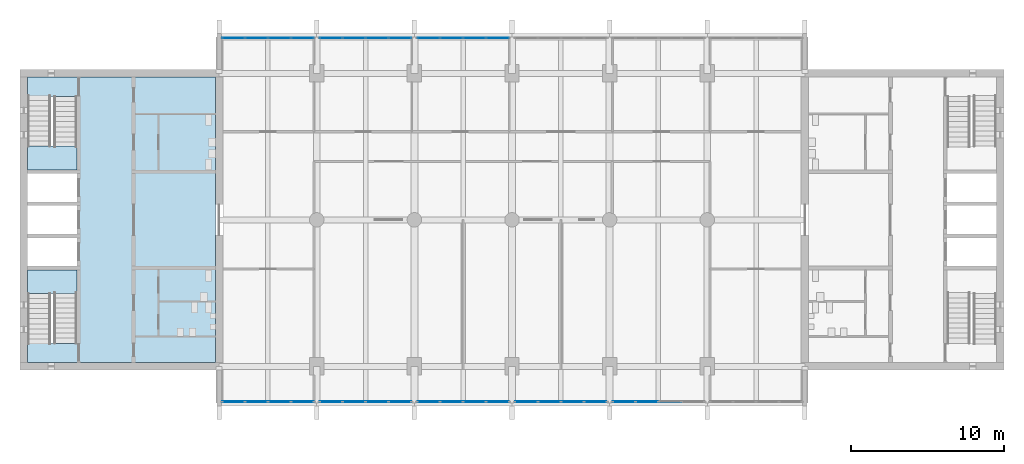
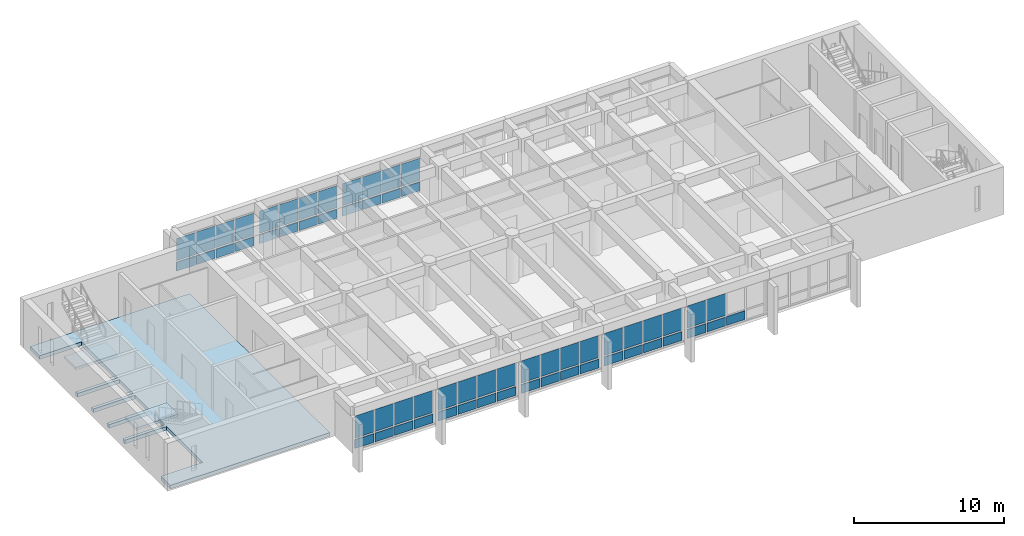
# One storey, part 7 of 15: 61 plates, 3 slabs, 10 elements without a shape of their own.
"""IFC4 building model written with IfcOpenShell, lengths in metres."""

from ifc_helpers import new_model, si_unit, direction, frame, origin, origin_2d, place, context, subcontext, project, spatial, polyline, rectangle, outline, extrude, material, layer, layer_set, type_object, element, aggregate, save


model = new_model("IFC4")

# Units and contexts
model_context = context("Model", 3, precision=1e-05, world=origin(), true_north=direction((0.0, 1.0)))
body_context = subcontext(model_context, "Body", "Model", "MODEL_VIEW")
ifc_project = project(units=[si_unit("LENGTHUNIT", "METRE"), si_unit("AREAUNIT", "SQUARE_METRE"), si_unit("VOLUMEUNIT", "CUBIC_METRE"), si_unit("PLANEANGLEUNIT", "RADIAN"), si_unit("MASSUNIT", "GRAM", prefix="KILO")], contexts=[model_context])

# Site, building, storey
site_placement = place(None, origin())
site = spatial("IfcSite", under=ifc_project, at=site_placement, CompositionType="ELEMENT")
building_placement = place(site_placement, origin())
building = spatial("IfcBuilding", under=site, at=building_placement, Name="Fogon Plaza Fire Station and Headquarters Tower", CompositionType="ELEMENT")
storey_placement = place(building_placement, frame((0.0, 0.0, 40.5)))
storey = spatial("IfcBuildingStorey", under=building, at=storey_placement, Name="L10", CompositionType="ELEMENT", Elevation=40.5)

# Slab
ifc_material_1 = material(Name="Concrete C40", Category="concrete")
ifc_layer_1 = layer(ifc_material_1, 0.300048828125)
ifc_layer_set_1 = layer_set([ifc_layer_1], Name="Concrete C40")
slab_type_1 = type_object("IfcSlabType", Name="Core Floor Slab RC 300", PredefinedType="FLOOR", material=ifc_layer_set_1)
slab_1_placement = place(storey_placement, frame((0.0, 0.0, -0.300048828125)))
element("IfcSlab", 1, at=slab_1_placement, inside=storey, type_object=slab_type_1, Name="Core A floor", PredefinedType="FLOOR", context=body_context, shape_type="SweptSolid", body=[
    extrude(outline(polyline([(13.050048828125, 35.110107421875), (13.050048828125, 33.85009765625), (25.35009765625, 33.85009765625), (25.35009765625, 52.550048828125), (13.050048828125, 52.550048828125), (13.050048828125, 51.2900390625), (16.27490234375, 51.2900390625), (16.27490234375, 46.47509765625), (13.050048828125, 46.47509765625), (13.050048828125, 46.22509765625), (16.27490234375, 46.22509765625), (16.27490234375, 44.375), (13.050048828125, 44.375), (13.050048828125, 44.125), (16.27490234375, 44.125), (16.27490234375, 42.27490234375), (13.050048828125, 42.27490234375), (13.050048828125, 42.02490234375), (16.27490234375, 42.02490234375), (16.27490234375, 40.175048828125), (13.050048828125, 40.175048828125), (13.050048828125, 39.925048828125), (16.27490234375, 39.925048828125), (16.27490234375, 35.110107421875), (13.050048828125, 35.110107421875)])), origin(), (0.0, 0.0, 1.0), 0.300048828125),
])

# Curtain wall, plates
ifc_material_2 = material(Name="Aluminium and glass", Category="aluminium")
ifc_layer_2 = layer(ifc_material_2, 0.14990234375)
ifc_layer_set_2 = layer_set([ifc_layer_2], Name="Aluminium and glass")
curtain_wall_type = type_object("IfcCurtainWallType", Name="Unitised Curtain Wall Run 6100x2880", PredefinedType="NOTDEFINED", material=ifc_layer_set_2)
curtain_wall_1_placement = place(storey_placement, origin())
curtain_wall_1 = element("IfcCurtainWall", 2, at=curtain_wall_1_placement, inside=storey, type_object=curtain_wall_type, Name="CW-6100x2880 S1 L10", PredefinedType="NOTDEFINED")
ifc_material_3 = material(Name="Insulated aluminium spandrel", Category="aluminium")
ifc_layer_3 = layer(ifc_material_3, 0.06005859375)
ifc_layer_set_3 = layer_set([ifc_layer_3], Name="Insulated aluminium spandrel")
plate_type_1 = type_object("IfcPlateType", Name="Insulated Spandrel Panel", PredefinedType="CURTAIN_PANEL", material=ifc_layer_set_3)
plate_1_placement = place(storey_placement, frame((26.534912109375, 31.280029296875, 0.1201171875), z_axis=(0.0, 0.0, 1.0), x_axis=(1.0, 0.0, 0.0)))
plate_1 = element("IfcPlate", 3, at=plate_1_placement, type_object=plate_type_1, Name="SP1 panel 1.1", PredefinedType="CURTAIN_PANEL", context=body_context, shape_type="SweptSolid", body=[
    extrude(rectangle(XDim=1.449951171875, YDim=0.06005859375, at=origin_2d()), origin(), (0.0, 0.0, 1.0), 0.719970703125),
])
plate_2_placement = place(storey_placement, frame((28.044921875, 31.280029296875, 0.1201171875), z_axis=(0.0, 0.0, 1.0), x_axis=(1.0, 0.0, 0.0)))
plate_2 = element("IfcPlate", 4, at=plate_2_placement, type_object=plate_type_1, Name="SP1 panel 2.1", PredefinedType="CURTAIN_PANEL", context=body_context, shape_type="SweptSolid", body=[
    extrude(rectangle(XDim=1.449951171875, YDim=0.06005859375, at=origin_2d()), origin(), (0.0, 0.0, 1.0), 0.719970703125),
])
plate_3_placement = place(storey_placement, frame((29.554931640625, 31.280029296875, 0.1201171875), z_axis=(0.0, 0.0, 1.0), x_axis=(1.0, 0.0, 0.0)))
plate_3 = element("IfcPlate", 5, at=plate_3_placement, type_object=plate_type_1, Name="SP1 panel 3.1", PredefinedType="CURTAIN_PANEL", context=body_context, shape_type="SweptSolid", body=[
    extrude(rectangle(XDim=1.449951171875, YDim=0.06005859375, at=origin_2d()), origin(), (0.0, 0.0, 1.0), 0.719970703125),
])
plate_4_placement = place(storey_placement, frame((31.06494140625, 31.280029296875, 0.1201171875), z_axis=(0.0, 0.0, 1.0), x_axis=(1.0, 0.0, 0.0)))
plate_4 = element("IfcPlate", 6, at=plate_4_placement, type_object=plate_type_1, Name="SP1 panel 4.1", PredefinedType="CURTAIN_PANEL", context=body_context, shape_type="SweptSolid", body=[
    extrude(rectangle(XDim=1.449951171875, YDim=0.06005859375, at=origin_2d()), origin(), (0.0, 0.0, 1.0), 0.719970703125),
])

curtain_wall_2_placement = place(storey_placement, origin())
curtain_wall_2 = element("IfcCurtainWall", 7, at=curtain_wall_2_placement, inside=storey, type_object=curtain_wall_type, Name="CW-6100x2880 S2 L10", PredefinedType="NOTDEFINED")
plate_5_placement = place(storey_placement, frame((32.93505859375, 31.280029296875, 0.1201171875), z_axis=(0.0, 0.0, 1.0), x_axis=(1.0, 0.0, 0.0)))
plate_5 = element("IfcPlate", 8, at=plate_5_placement, type_object=plate_type_1, Name="SP1 panel 1.1", PredefinedType="CURTAIN_PANEL", context=body_context, shape_type="SweptSolid", body=[
    extrude(rectangle(XDim=1.449951171875, YDim=0.06005859375, at=origin_2d()), origin(), (0.0, 0.0, 1.0), 0.719970703125),
])
plate_6_placement = place(storey_placement, frame((34.445068359375, 31.280029296875, 0.1201171875), z_axis=(0.0, 0.0, 1.0), x_axis=(1.0, 0.0, 0.0)))
plate_6 = element("IfcPlate", 9, at=plate_6_placement, type_object=plate_type_1, Name="SP1 panel 2.1", PredefinedType="CURTAIN_PANEL", context=body_context, shape_type="SweptSolid", body=[
    extrude(rectangle(XDim=1.449951171875, YDim=0.06005859375, at=origin_2d()), origin(), (0.0, 0.0, 1.0), 0.719970703125),
])
plate_7_placement = place(storey_placement, frame((35.955078125, 31.280029296875, 0.1201171875), z_axis=(0.0, 0.0, 1.0), x_axis=(1.0, 0.0, 0.0)))
plate_7 = element("IfcPlate", 10, at=plate_7_placement, type_object=plate_type_1, Name="SP1 panel 3.1", PredefinedType="CURTAIN_PANEL", context=body_context, shape_type="SweptSolid", body=[
    extrude(rectangle(XDim=1.449951171875, YDim=0.06005859375, at=origin_2d()), origin(), (0.0, 0.0, 1.0), 0.719970703125),
])
plate_8_placement = place(storey_placement, frame((37.465087890625, 31.280029296875, 0.1201171875), z_axis=(0.0, 0.0, 1.0), x_axis=(1.0, 0.0, 0.0)))
plate_8 = element("IfcPlate", 11, at=plate_8_placement, type_object=plate_type_1, Name="SP1 panel 4.1", PredefinedType="CURTAIN_PANEL", context=body_context, shape_type="SweptSolid", body=[
    extrude(rectangle(XDim=1.449951171875, YDim=0.06005859375, at=origin_2d()), origin(), (0.0, 0.0, 1.0), 0.719970703125),
])

curtain_wall_3_placement = place(storey_placement, origin())
curtain_wall_3 = element("IfcCurtainWall", 12, at=curtain_wall_3_placement, inside=storey, type_object=curtain_wall_type, Name="CW-6100x2880 S3 L10", PredefinedType="NOTDEFINED")
plate_9_placement = place(storey_placement, frame((39.3349609375, 31.280029296875, 0.1201171875), z_axis=(0.0, 0.0, 1.0), x_axis=(1.0, 0.0, 0.0)))
plate_9 = element("IfcPlate", 13, at=plate_9_placement, type_object=plate_type_1, Name="SP1 panel 1.1", PredefinedType="CURTAIN_PANEL", context=body_context, shape_type="SweptSolid", body=[
    extrude(rectangle(XDim=1.449951171875, YDim=0.06005859375, at=origin_2d()), origin(), (0.0, 0.0, 1.0), 0.719970703125),
])
plate_10_placement = place(storey_placement, frame((40.844970703125, 31.280029296875, 0.1201171875), z_axis=(0.0, 0.0, 1.0), x_axis=(1.0, 0.0, 0.0)))
plate_10 = element("IfcPlate", 14, at=plate_10_placement, type_object=plate_type_1, Name="SP1 panel 2.1", PredefinedType="CURTAIN_PANEL", context=body_context, shape_type="SweptSolid", body=[
    extrude(rectangle(XDim=1.449951171875, YDim=0.06005859375, at=origin_2d()), origin(), (0.0, 0.0, 1.0), 0.719970703125),
])
plate_11_placement = place(storey_placement, frame((42.35498046875, 31.280029296875, 0.1201171875), z_axis=(0.0, 0.0, 1.0), x_axis=(1.0, 0.0, 0.0)))
plate_11 = element("IfcPlate", 15, at=plate_11_placement, type_object=plate_type_1, Name="SP1 panel 3.1", PredefinedType="CURTAIN_PANEL", context=body_context, shape_type="SweptSolid", body=[
    extrude(rectangle(XDim=1.449951171875, YDim=0.06005859375, at=origin_2d()), origin(), (0.0, 0.0, 1.0), 0.719970703125),
])
plate_12_placement = place(storey_placement, frame((43.864990234375, 31.280029296875, 0.1201171875), z_axis=(0.0, 0.0, 1.0), x_axis=(1.0, 0.0, 0.0)))
plate_12 = element("IfcPlate", 16, at=plate_12_placement, type_object=plate_type_1, Name="SP1 panel 4.1", PredefinedType="CURTAIN_PANEL", context=body_context, shape_type="SweptSolid", body=[
    extrude(rectangle(XDim=1.449951171875, YDim=0.06005859375, at=origin_2d()), origin(), (0.0, 0.0, 1.0), 0.719970703125),
])

curtain_wall_4_placement = place(storey_placement, origin())
curtain_wall_4 = element("IfcCurtainWall", 17, at=curtain_wall_4_placement, inside=storey, type_object=curtain_wall_type, Name="CW-6100x2880 S4 L10", PredefinedType="NOTDEFINED")
plate_13_placement = place(storey_placement, frame((45.735107421875, 31.280029296875, 0.1201171875), z_axis=(0.0, 0.0, 1.0), x_axis=(1.0, 0.0, 0.0)))
plate_13 = element("IfcPlate", 18, at=plate_13_placement, type_object=plate_type_1, Name="SP1 panel 1.1", PredefinedType="CURTAIN_PANEL", context=body_context, shape_type="SweptSolid", body=[
    extrude(rectangle(XDim=1.449951171875, YDim=0.06005859375, at=origin_2d()), origin(), (0.0, 0.0, 1.0), 0.719970703125),
])
plate_14_placement = place(storey_placement, frame((47.2451171875, 31.280029296875, 0.1201171875), z_axis=(0.0, 0.0, 1.0), x_axis=(1.0, 0.0, 0.0)))
plate_14 = element("IfcPlate", 19, at=plate_14_placement, type_object=plate_type_1, Name="SP1 panel 2.1", PredefinedType="CURTAIN_PANEL", context=body_context, shape_type="SweptSolid", body=[
    extrude(rectangle(XDim=1.449951171875, YDim=0.06005859375, at=origin_2d()), origin(), (0.0, 0.0, 1.0), 0.719970703125),
])
plate_15_placement = place(storey_placement, frame((48.7548828125, 31.280029296875, 0.1201171875), z_axis=(0.0, 0.0, 1.0), x_axis=(1.0, 0.0, 0.0)))
plate_15 = element("IfcPlate", 20, at=plate_15_placement, type_object=plate_type_1, Name="SP1 panel 3.1", PredefinedType="CURTAIN_PANEL", context=body_context, shape_type="SweptSolid", body=[
    extrude(rectangle(XDim=1.449951171875, YDim=0.06005859375, at=origin_2d()), origin(), (0.0, 0.0, 1.0), 0.719970703125),
])
plate_16_placement = place(storey_placement, frame((50.264892578125, 31.280029296875, 0.1201171875), z_axis=(0.0, 0.0, 1.0), x_axis=(1.0, 0.0, 0.0)))
plate_16 = element("IfcPlate", 21, at=plate_16_placement, type_object=plate_type_1, Name="SP1 panel 4.1", PredefinedType="CURTAIN_PANEL", context=body_context, shape_type="SweptSolid", body=[
    extrude(rectangle(XDim=1.449951171875, YDim=0.06005859375, at=origin_2d()), origin(), (0.0, 0.0, 1.0), 0.719970703125),
])

curtain_wall_5_placement = place(storey_placement, origin())
curtain_wall_5 = element("IfcCurtainWall", 22, at=curtain_wall_5_placement, inside=storey, type_object=curtain_wall_type, Name="CW-6100x2880 S5 L10", PredefinedType="NOTDEFINED")
plate_17_placement = place(storey_placement, frame((52.135009765625, 31.280029296875, 0.1201171875), z_axis=(0.0, 0.0, 1.0), x_axis=(1.0, 0.0, 0.0)))
plate_17 = element("IfcPlate", 23, at=plate_17_placement, type_object=plate_type_1, Name="SP1 panel 1.1", PredefinedType="CURTAIN_PANEL", context=body_context, shape_type="SweptSolid", body=[
    extrude(rectangle(XDim=1.449951171875, YDim=0.06005859375, at=origin_2d()), origin(), (0.0, 0.0, 1.0), 0.719970703125),
])
plate_18_placement = place(storey_placement, frame((53.64501953125, 31.280029296875, 0.1201171875), z_axis=(0.0, 0.0, 1.0), x_axis=(1.0, 0.0, 0.0)))
plate_18 = element("IfcPlate", 24, at=plate_18_placement, type_object=plate_type_1, Name="SP1 panel 2.1", PredefinedType="CURTAIN_PANEL", context=body_context, shape_type="SweptSolid", body=[
    extrude(rectangle(XDim=1.449951171875, YDim=0.06005859375, at=origin_2d()), origin(), (0.0, 0.0, 1.0), 0.719970703125),
])
plate_19_placement = place(storey_placement, frame((55.155029296875, 31.280029296875, 0.1201171875), z_axis=(0.0, 0.0, 1.0), x_axis=(1.0, 0.0, 0.0)))
plate_19 = element("IfcPlate", 25, at=plate_19_placement, type_object=plate_type_1, Name="SP1 panel 3.1", PredefinedType="CURTAIN_PANEL", context=body_context, shape_type="SweptSolid", body=[
    extrude(rectangle(XDim=1.449951171875, YDim=0.06005859375, at=origin_2d()), origin(), (0.0, 0.0, 1.0), 0.719970703125),
])

curtain_wall_6_placement = place(storey_placement, origin())
curtain_wall_6 = element("IfcCurtainWall", 26, at=curtain_wall_6_placement, inside=storey, type_object=curtain_wall_type, Name="CW-6100x2880 N1 L10", PredefinedType="NOTDEFINED")
plate_20_placement = place(storey_placement, frame((26.534912109375, 55.1201171875, 0.1201171875), z_axis=(0.0, 0.0, 1.0), x_axis=(1.0, 0.0, 0.0)))
plate_20 = element("IfcPlate", 27, at=plate_20_placement, type_object=plate_type_1, Name="SP1 panel 1.1", PredefinedType="CURTAIN_PANEL", context=body_context, shape_type="SweptSolid", body=[
    extrude(rectangle(XDim=1.449951171875, YDim=0.06005859375, at=origin_2d()), origin(), (0.0, 0.0, 1.0), 0.719970703125),
])
plate_21_placement = place(storey_placement, frame((28.044921875, 55.1201171875, 0.1201171875), z_axis=(0.0, 0.0, 1.0), x_axis=(1.0, 0.0, 0.0)))
plate_21 = element("IfcPlate", 28, at=plate_21_placement, type_object=plate_type_1, Name="SP1 panel 2.1", PredefinedType="CURTAIN_PANEL", context=body_context, shape_type="SweptSolid", body=[
    extrude(rectangle(XDim=1.449951171875, YDim=0.06005859375, at=origin_2d()), origin(), (0.0, 0.0, 1.0), 0.719970703125),
])
plate_22_placement = place(storey_placement, frame((29.554931640625, 55.1201171875, 0.1201171875), z_axis=(0.0, 0.0, 1.0), x_axis=(1.0, 0.0, 0.0)))
plate_22 = element("IfcPlate", 29, at=plate_22_placement, type_object=plate_type_1, Name="SP1 panel 3.1", PredefinedType="CURTAIN_PANEL", context=body_context, shape_type="SweptSolid", body=[
    extrude(rectangle(XDim=1.449951171875, YDim=0.06005859375, at=origin_2d()), origin(), (0.0, 0.0, 1.0), 0.719970703125),
])
plate_23_placement = place(storey_placement, frame((31.06494140625, 55.1201171875, 0.1201171875), z_axis=(0.0, 0.0, 1.0), x_axis=(1.0, 0.0, 0.0)))
plate_23 = element("IfcPlate", 30, at=plate_23_placement, type_object=plate_type_1, Name="SP1 panel 4.1", PredefinedType="CURTAIN_PANEL", context=body_context, shape_type="SweptSolid", body=[
    extrude(rectangle(XDim=1.449951171875, YDim=0.06005859375, at=origin_2d()), origin(), (0.0, 0.0, 1.0), 0.719970703125),
])

curtain_wall_7_placement = place(storey_placement, origin())
curtain_wall_7 = element("IfcCurtainWall", 31, at=curtain_wall_7_placement, inside=storey, type_object=curtain_wall_type, Name="CW-6100x2880 N2 L10", PredefinedType="NOTDEFINED")
plate_24_placement = place(storey_placement, frame((32.93505859375, 55.1201171875, 0.1201171875), z_axis=(0.0, 0.0, 1.0), x_axis=(1.0, 0.0, 0.0)))
plate_24 = element("IfcPlate", 32, at=plate_24_placement, type_object=plate_type_1, Name="SP1 panel 1.1", PredefinedType="CURTAIN_PANEL", context=body_context, shape_type="SweptSolid", body=[
    extrude(rectangle(XDim=1.449951171875, YDim=0.06005859375, at=origin_2d()), origin(), (0.0, 0.0, 1.0), 0.719970703125),
])
plate_25_placement = place(storey_placement, frame((34.445068359375, 55.1201171875, 0.1201171875), z_axis=(0.0, 0.0, 1.0), x_axis=(1.0, 0.0, 0.0)))
plate_25 = element("IfcPlate", 33, at=plate_25_placement, type_object=plate_type_1, Name="SP1 panel 2.1", PredefinedType="CURTAIN_PANEL", context=body_context, shape_type="SweptSolid", body=[
    extrude(rectangle(XDim=1.449951171875, YDim=0.06005859375, at=origin_2d()), origin(), (0.0, 0.0, 1.0), 0.719970703125),
])
plate_26_placement = place(storey_placement, frame((35.955078125, 55.1201171875, 0.1201171875), z_axis=(0.0, 0.0, 1.0), x_axis=(1.0, 0.0, 0.0)))
plate_26 = element("IfcPlate", 34, at=plate_26_placement, type_object=plate_type_1, Name="SP1 panel 3.1", PredefinedType="CURTAIN_PANEL", context=body_context, shape_type="SweptSolid", body=[
    extrude(rectangle(XDim=1.449951171875, YDim=0.06005859375, at=origin_2d()), origin(), (0.0, 0.0, 1.0), 0.719970703125),
])
plate_27_placement = place(storey_placement, frame((37.465087890625, 55.1201171875, 0.1201171875), z_axis=(0.0, 0.0, 1.0), x_axis=(1.0, 0.0, 0.0)))
plate_27 = element("IfcPlate", 35, at=plate_27_placement, type_object=plate_type_1, Name="SP1 panel 4.1", PredefinedType="CURTAIN_PANEL", context=body_context, shape_type="SweptSolid", body=[
    extrude(rectangle(XDim=1.449951171875, YDim=0.06005859375, at=origin_2d()), origin(), (0.0, 0.0, 1.0), 0.719970703125),
])

curtain_wall_8_placement = place(storey_placement, origin())
curtain_wall_8 = element("IfcCurtainWall", 36, at=curtain_wall_8_placement, inside=storey, type_object=curtain_wall_type, Name="CW-6100x2880 N3 L10", PredefinedType="NOTDEFINED")
plate_28_placement = place(storey_placement, frame((39.3349609375, 55.1201171875, 0.1201171875), z_axis=(0.0, 0.0, 1.0), x_axis=(1.0, 0.0, 0.0)))
plate_28 = element("IfcPlate", 37, at=plate_28_placement, type_object=plate_type_1, Name="SP1 panel 1.1", PredefinedType="CURTAIN_PANEL", context=body_context, shape_type="SweptSolid", body=[
    extrude(rectangle(XDim=1.449951171875, YDim=0.06005859375, at=origin_2d()), origin(), (0.0, 0.0, 1.0), 0.719970703125),
])
plate_29_placement = place(storey_placement, frame((40.844970703125, 55.1201171875, 0.1201171875), z_axis=(0.0, 0.0, 1.0), x_axis=(1.0, 0.0, 0.0)))
plate_29 = element("IfcPlate", 38, at=plate_29_placement, type_object=plate_type_1, Name="SP1 panel 2.1", PredefinedType="CURTAIN_PANEL", context=body_context, shape_type="SweptSolid", body=[
    extrude(rectangle(XDim=1.449951171875, YDim=0.06005859375, at=origin_2d()), origin(), (0.0, 0.0, 1.0), 0.719970703125),
])
plate_30_placement = place(storey_placement, frame((42.35498046875, 55.1201171875, 0.1201171875), z_axis=(0.0, 0.0, 1.0), x_axis=(1.0, 0.0, 0.0)))
plate_30 = element("IfcPlate", 39, at=plate_30_placement, type_object=plate_type_1, Name="SP1 panel 3.1", PredefinedType="CURTAIN_PANEL", context=body_context, shape_type="SweptSolid", body=[
    extrude(rectangle(XDim=1.449951171875, YDim=0.06005859375, at=origin_2d()), origin(), (0.0, 0.0, 1.0), 0.719970703125),
])
plate_31_placement = place(storey_placement, frame((43.864990234375, 55.1201171875, 0.1201171875), z_axis=(0.0, 0.0, 1.0), x_axis=(1.0, 0.0, 0.0)))
plate_31 = element("IfcPlate", 40, at=plate_31_placement, type_object=plate_type_1, Name="SP1 panel 4.1", PredefinedType="CURTAIN_PANEL", context=body_context, shape_type="SweptSolid", body=[
    extrude(rectangle(XDim=1.449951171875, YDim=0.06005859375, at=origin_2d()), origin(), (0.0, 0.0, 1.0), 0.719970703125),
])

# Stair, slab
ifc_material_4 = material(Name="Concrete C40", Category="concrete")
stair_type = type_object("IfcStairType", Name="Exit Stair Two Flights", PredefinedType="TWO_STRAIGHT_RUN_STAIR", material=ifc_material_4)
stair_1_placement = place(storey_placement, origin())
stair_1 = element("IfcStair", 41, at=stair_1_placement, inside=storey, type_object=stair_type, Name="Stair ST1", PredefinedType="TWO_STRAIGHT_RUN_STAIR")
ifc_material_5 = material(Name="Concrete C40", Category="concrete")
ifc_layer_4 = layer(ifc_material_5, 0.300048828125)
ifc_layer_set_4 = layer_set([ifc_layer_4], Name="Concrete C40")
slab_type_2 = type_object("IfcSlabType", Name="Stair Landing RC 300", PredefinedType="LANDING", material=ifc_layer_set_4)
slab_2_placement = place(storey_placement, frame((0.0, 0.0, 1.75)))
slab_2 = element("IfcSlab", 42, at=slab_2_placement, type_object=slab_type_2, Name="ST1 landing L12", PredefinedType="LANDING", context=body_context, shape_type="SweptSolid", body=[
    extrude(outline(polyline([(16.27490234375, 38.375), (16.27490234375, 39.925048828125), (13.050048828125, 39.925048828125), (13.050048828125, 38.375), (16.27490234375, 38.375)])), origin(), (0.0, 0.0, 1.0), 0.199951171875),
])
aggregate(stair_1, [slab_2])

stair_2_placement = place(storey_placement, origin())
stair_2 = element("IfcStair", 43, at=stair_2_placement, inside=storey, type_object=stair_type, Name="Stair ST2", PredefinedType="TWO_STRAIGHT_RUN_STAIR")
slab_3_placement = place(storey_placement, frame((0.0, 0.0, 1.75)))
slab_3 = element("IfcSlab", 44, at=slab_3_placement, type_object=slab_type_2, Name="ST2 landing L12", PredefinedType="LANDING", context=body_context, shape_type="SweptSolid", body=[
    extrude(outline(polyline([(16.27490234375, 46.47509765625), (16.27490234375, 48.02490234375), (13.050048828125, 48.02490234375), (13.050048828125, 46.47509765625), (16.27490234375, 46.47509765625)])), origin(), (0.0, 0.0, 1.0), 0.199951171875),
])
aggregate(stair_2, [slab_3])

# Plate
ifc_material_6 = material(Name="Low-e double glazing", Category="glass")
ifc_layer_5 = layer(ifc_material_6, 0.028076171875)
ifc_layer_set_5 = layer_set([ifc_layer_5], Name="Low-e double glazing")
plate_type_2 = type_object("IfcPlateType", Name="Vision Glass Panel 1450x1800", PredefinedType="CURTAIN_PANEL", material=ifc_layer_set_5)
plate_32_placement = place(storey_placement, frame((26.534912109375, 31.280029296875, 0.9599609375), z_axis=(0.0, 0.0, 1.0), x_axis=(1.0, 0.0, 0.0)))
plate_32 = element("IfcPlate", 45, at=plate_32_placement, type_object=plate_type_2, Name="VG-1450x1800 panel 1.2", PredefinedType="CURTAIN_PANEL", context=body_context, shape_type="SweptSolid", body=[
    extrude(rectangle(XDim=1.449951171875, YDim=0.028076171875, at=origin_2d()), origin(), (0.0, 0.0, 1.0), 1.800048828125),
])

plate_33_placement = place(storey_placement, frame((28.044921875, 31.280029296875, 0.9599609375), z_axis=(0.0, 0.0, 1.0), x_axis=(1.0, 0.0, 0.0)))
plate_33 = element("IfcPlate", 46, at=plate_33_placement, type_object=plate_type_2, Name="VG-1450x1800 panel 2.2", PredefinedType="CURTAIN_PANEL", context=body_context, shape_type="SweptSolid", body=[
    extrude(rectangle(XDim=1.449951171875, YDim=0.028076171875, at=origin_2d()), origin(), (0.0, 0.0, 1.0), 1.800048828125),
])

plate_34_placement = place(storey_placement, frame((29.554931640625, 31.280029296875, 0.9599609375), z_axis=(0.0, 0.0, 1.0), x_axis=(1.0, 0.0, 0.0)))
plate_34 = element("IfcPlate", 47, at=plate_34_placement, type_object=plate_type_2, Name="VG-1450x1800 panel 3.2", PredefinedType="CURTAIN_PANEL", context=body_context, shape_type="SweptSolid", body=[
    extrude(rectangle(XDim=1.449951171875, YDim=0.028076171875, at=origin_2d()), origin(), (0.0, 0.0, 1.0), 1.800048828125),
])

plate_35_placement = place(storey_placement, frame((31.06494140625, 31.280029296875, 0.9599609375), z_axis=(0.0, 0.0, 1.0), x_axis=(1.0, 0.0, 0.0)))
plate_35 = element("IfcPlate", 48, at=plate_35_placement, type_object=plate_type_2, Name="VG-1450x1800 panel 4.2", PredefinedType="CURTAIN_PANEL", context=body_context, shape_type="SweptSolid", body=[
    extrude(rectangle(XDim=1.449951171875, YDim=0.028076171875, at=origin_2d()), origin(), (0.0, 0.0, 1.0), 1.800048828125),
])

aggregate(curtain_wall_1, [plate_1, plate_32, plate_2, plate_33, plate_3, plate_34, plate_4, plate_35])

plate_36_placement = place(storey_placement, frame((32.93505859375, 31.280029296875, 0.9599609375), z_axis=(0.0, 0.0, 1.0), x_axis=(1.0, 0.0, 0.0)))
plate_36 = element("IfcPlate", 49, at=plate_36_placement, type_object=plate_type_2, Name="VG-1450x1800 panel 1.2", PredefinedType="CURTAIN_PANEL", context=body_context, shape_type="SweptSolid", body=[
    extrude(rectangle(XDim=1.449951171875, YDim=0.028076171875, at=origin_2d()), origin(), (0.0, 0.0, 1.0), 1.800048828125),
])

plate_37_placement = place(storey_placement, frame((34.445068359375, 31.280029296875, 0.9599609375), z_axis=(0.0, 0.0, 1.0), x_axis=(1.0, 0.0, 0.0)))
plate_37 = element("IfcPlate", 50, at=plate_37_placement, type_object=plate_type_2, Name="VG-1450x1800 panel 2.2", PredefinedType="CURTAIN_PANEL", context=body_context, shape_type="SweptSolid", body=[
    extrude(rectangle(XDim=1.449951171875, YDim=0.028076171875, at=origin_2d()), origin(), (0.0, 0.0, 1.0), 1.800048828125),
])

plate_38_placement = place(storey_placement, frame((35.955078125, 31.280029296875, 0.9599609375), z_axis=(0.0, 0.0, 1.0), x_axis=(1.0, 0.0, 0.0)))
plate_38 = element("IfcPlate", 51, at=plate_38_placement, type_object=plate_type_2, Name="VG-1450x1800 panel 3.2", PredefinedType="CURTAIN_PANEL", context=body_context, shape_type="SweptSolid", body=[
    extrude(rectangle(XDim=1.449951171875, YDim=0.028076171875, at=origin_2d()), origin(), (0.0, 0.0, 1.0), 1.800048828125),
])

plate_39_placement = place(storey_placement, frame((37.465087890625, 31.280029296875, 0.9599609375), z_axis=(0.0, 0.0, 1.0), x_axis=(1.0, 0.0, 0.0)))
plate_39 = element("IfcPlate", 52, at=plate_39_placement, type_object=plate_type_2, Name="VG-1450x1800 panel 4.2", PredefinedType="CURTAIN_PANEL", context=body_context, shape_type="SweptSolid", body=[
    extrude(rectangle(XDim=1.449951171875, YDim=0.028076171875, at=origin_2d()), origin(), (0.0, 0.0, 1.0), 1.800048828125),
])

aggregate(curtain_wall_2, [plate_5, plate_36, plate_6, plate_37, plate_7, plate_38, plate_8, plate_39])

plate_40_placement = place(storey_placement, frame((39.3349609375, 31.280029296875, 0.9599609375), z_axis=(0.0, 0.0, 1.0), x_axis=(1.0, 0.0, 0.0)))
plate_40 = element("IfcPlate", 53, at=plate_40_placement, type_object=plate_type_2, Name="VG-1450x1800 panel 1.2", PredefinedType="CURTAIN_PANEL", context=body_context, shape_type="SweptSolid", body=[
    extrude(rectangle(XDim=1.449951171875, YDim=0.028076171875, at=origin_2d()), origin(), (0.0, 0.0, 1.0), 1.800048828125),
])

plate_41_placement = place(storey_placement, frame((40.844970703125, 31.280029296875, 0.9599609375), z_axis=(0.0, 0.0, 1.0), x_axis=(1.0, 0.0, 0.0)))
plate_41 = element("IfcPlate", 54, at=plate_41_placement, type_object=plate_type_2, Name="VG-1450x1800 panel 2.2", PredefinedType="CURTAIN_PANEL", context=body_context, shape_type="SweptSolid", body=[
    extrude(rectangle(XDim=1.449951171875, YDim=0.028076171875, at=origin_2d()), origin(), (0.0, 0.0, 1.0), 1.800048828125),
])

plate_42_placement = place(storey_placement, frame((42.35498046875, 31.280029296875, 0.9599609375), z_axis=(0.0, 0.0, 1.0), x_axis=(1.0, 0.0, 0.0)))
plate_42 = element("IfcPlate", 55, at=plate_42_placement, type_object=plate_type_2, Name="VG-1450x1800 panel 3.2", PredefinedType="CURTAIN_PANEL", context=body_context, shape_type="SweptSolid", body=[
    extrude(rectangle(XDim=1.449951171875, YDim=0.028076171875, at=origin_2d()), origin(), (0.0, 0.0, 1.0), 1.800048828125),
])

plate_43_placement = place(storey_placement, frame((43.864990234375, 31.280029296875, 0.9599609375), z_axis=(0.0, 0.0, 1.0), x_axis=(1.0, 0.0, 0.0)))
plate_43 = element("IfcPlate", 56, at=plate_43_placement, type_object=plate_type_2, Name="VG-1450x1800 panel 4.2", PredefinedType="CURTAIN_PANEL", context=body_context, shape_type="SweptSolid", body=[
    extrude(rectangle(XDim=1.449951171875, YDim=0.028076171875, at=origin_2d()), origin(), (0.0, 0.0, 1.0), 1.800048828125),
])

aggregate(curtain_wall_3, [plate_9, plate_40, plate_10, plate_41, plate_11, plate_42, plate_12, plate_43])

plate_44_placement = place(storey_placement, frame((45.735107421875, 31.280029296875, 0.9599609375), z_axis=(0.0, 0.0, 1.0), x_axis=(1.0, 0.0, 0.0)))
plate_44 = element("IfcPlate", 57, at=plate_44_placement, type_object=plate_type_2, Name="VG-1450x1800 panel 1.2", PredefinedType="CURTAIN_PANEL", context=body_context, shape_type="SweptSolid", body=[
    extrude(rectangle(XDim=1.449951171875, YDim=0.028076171875, at=origin_2d()), origin(), (0.0, 0.0, 1.0), 1.800048828125),
])

plate_45_placement = place(storey_placement, frame((47.2451171875, 31.280029296875, 0.9599609375), z_axis=(0.0, 0.0, 1.0), x_axis=(1.0, 0.0, 0.0)))
plate_45 = element("IfcPlate", 58, at=plate_45_placement, type_object=plate_type_2, Name="VG-1450x1800 panel 2.2", PredefinedType="CURTAIN_PANEL", context=body_context, shape_type="SweptSolid", body=[
    extrude(rectangle(XDim=1.449951171875, YDim=0.028076171875, at=origin_2d()), origin(), (0.0, 0.0, 1.0), 1.800048828125),
])

plate_46_placement = place(storey_placement, frame((48.7548828125, 31.280029296875, 0.9599609375), z_axis=(0.0, 0.0, 1.0), x_axis=(1.0, 0.0, 0.0)))
plate_46 = element("IfcPlate", 59, at=plate_46_placement, type_object=plate_type_2, Name="VG-1450x1800 panel 3.2", PredefinedType="CURTAIN_PANEL", context=body_context, shape_type="SweptSolid", body=[
    extrude(rectangle(XDim=1.449951171875, YDim=0.028076171875, at=origin_2d()), origin(), (0.0, 0.0, 1.0), 1.800048828125),
])

plate_47_placement = place(storey_placement, frame((50.264892578125, 31.280029296875, 0.9599609375), z_axis=(0.0, 0.0, 1.0), x_axis=(1.0, 0.0, 0.0)))
plate_47 = element("IfcPlate", 60, at=plate_47_placement, type_object=plate_type_2, Name="VG-1450x1800 panel 4.2", PredefinedType="CURTAIN_PANEL", context=body_context, shape_type="SweptSolid", body=[
    extrude(rectangle(XDim=1.449951171875, YDim=0.028076171875, at=origin_2d()), origin(), (0.0, 0.0, 1.0), 1.800048828125),
])

aggregate(curtain_wall_4, [plate_13, plate_44, plate_14, plate_45, plate_15, plate_46, plate_16, plate_47])

plate_48_placement = place(storey_placement, frame((52.135009765625, 31.280029296875, 0.9599609375), z_axis=(0.0, 0.0, 1.0), x_axis=(1.0, 0.0, 0.0)))
plate_48 = element("IfcPlate", 61, at=plate_48_placement, type_object=plate_type_2, Name="VG-1450x1800 panel 1.2", PredefinedType="CURTAIN_PANEL", context=body_context, shape_type="SweptSolid", body=[
    extrude(rectangle(XDim=1.449951171875, YDim=0.028076171875, at=origin_2d()), origin(), (0.0, 0.0, 1.0), 1.800048828125),
])

plate_49_placement = place(storey_placement, frame((53.64501953125, 31.280029296875, 0.9599609375), z_axis=(0.0, 0.0, 1.0), x_axis=(1.0, 0.0, 0.0)))
plate_49 = element("IfcPlate", 62, at=plate_49_placement, type_object=plate_type_2, Name="VG-1450x1800 panel 2.2", PredefinedType="CURTAIN_PANEL", context=body_context, shape_type="SweptSolid", body=[
    extrude(rectangle(XDim=1.449951171875, YDim=0.028076171875, at=origin_2d()), origin(), (0.0, 0.0, 1.0), 1.800048828125),
])

aggregate(curtain_wall_5, [plate_17, plate_48, plate_18, plate_49, plate_19])

plate_50_placement = place(storey_placement, frame((26.534912109375, 55.1201171875, 0.9599609375), z_axis=(0.0, 0.0, 1.0), x_axis=(1.0, 0.0, 0.0)))
plate_50 = element("IfcPlate", 63, at=plate_50_placement, type_object=plate_type_2, Name="VG-1450x1800 panel 1.2", PredefinedType="CURTAIN_PANEL", context=body_context, shape_type="SweptSolid", body=[
    extrude(rectangle(XDim=1.449951171875, YDim=0.028076171875, at=origin_2d()), origin(), (0.0, 0.0, 1.0), 1.800048828125),
])

plate_51_placement = place(storey_placement, frame((28.044921875, 55.1201171875, 0.9599609375), z_axis=(0.0, 0.0, 1.0), x_axis=(1.0, 0.0, 0.0)))
plate_51 = element("IfcPlate", 64, at=plate_51_placement, type_object=plate_type_2, Name="VG-1450x1800 panel 2.2", PredefinedType="CURTAIN_PANEL", context=body_context, shape_type="SweptSolid", body=[
    extrude(rectangle(XDim=1.449951171875, YDim=0.028076171875, at=origin_2d()), origin(), (0.0, 0.0, 1.0), 1.800048828125),
])

plate_52_placement = place(storey_placement, frame((29.554931640625, 55.1201171875, 0.9599609375), z_axis=(0.0, 0.0, 1.0), x_axis=(1.0, 0.0, 0.0)))
plate_52 = element("IfcPlate", 65, at=plate_52_placement, type_object=plate_type_2, Name="VG-1450x1800 panel 3.2", PredefinedType="CURTAIN_PANEL", context=body_context, shape_type="SweptSolid", body=[
    extrude(rectangle(XDim=1.449951171875, YDim=0.028076171875, at=origin_2d()), origin(), (0.0, 0.0, 1.0), 1.800048828125),
])

plate_53_placement = place(storey_placement, frame((31.06494140625, 55.1201171875, 0.9599609375), z_axis=(0.0, 0.0, 1.0), x_axis=(1.0, 0.0, 0.0)))
plate_53 = element("IfcPlate", 66, at=plate_53_placement, type_object=plate_type_2, Name="VG-1450x1800 panel 4.2", PredefinedType="CURTAIN_PANEL", context=body_context, shape_type="SweptSolid", body=[
    extrude(rectangle(XDim=1.449951171875, YDim=0.028076171875, at=origin_2d()), origin(), (0.0, 0.0, 1.0), 1.800048828125),
])

aggregate(curtain_wall_6, [plate_20, plate_50, plate_21, plate_51, plate_22, plate_52, plate_23, plate_53])

plate_54_placement = place(storey_placement, frame((32.93505859375, 55.1201171875, 0.9599609375), z_axis=(0.0, 0.0, 1.0), x_axis=(1.0, 0.0, 0.0)))
plate_54 = element("IfcPlate", 67, at=plate_54_placement, type_object=plate_type_2, Name="VG-1450x1800 panel 1.2", PredefinedType="CURTAIN_PANEL", context=body_context, shape_type="SweptSolid", body=[
    extrude(rectangle(XDim=1.449951171875, YDim=0.028076171875, at=origin_2d()), origin(), (0.0, 0.0, 1.0), 1.800048828125),
])

plate_55_placement = place(storey_placement, frame((34.445068359375, 55.1201171875, 0.9599609375), z_axis=(0.0, 0.0, 1.0), x_axis=(1.0, 0.0, 0.0)))
plate_55 = element("IfcPlate", 68, at=plate_55_placement, type_object=plate_type_2, Name="VG-1450x1800 panel 2.2", PredefinedType="CURTAIN_PANEL", context=body_context, shape_type="SweptSolid", body=[
    extrude(rectangle(XDim=1.449951171875, YDim=0.028076171875, at=origin_2d()), origin(), (0.0, 0.0, 1.0), 1.800048828125),
])

plate_56_placement = place(storey_placement, frame((35.955078125, 55.1201171875, 0.9599609375), z_axis=(0.0, 0.0, 1.0), x_axis=(1.0, 0.0, 0.0)))
plate_56 = element("IfcPlate", 69, at=plate_56_placement, type_object=plate_type_2, Name="VG-1450x1800 panel 3.2", PredefinedType="CURTAIN_PANEL", context=body_context, shape_type="SweptSolid", body=[
    extrude(rectangle(XDim=1.449951171875, YDim=0.028076171875, at=origin_2d()), origin(), (0.0, 0.0, 1.0), 1.800048828125),
])

plate_57_placement = place(storey_placement, frame((37.465087890625, 55.1201171875, 0.9599609375), z_axis=(0.0, 0.0, 1.0), x_axis=(1.0, 0.0, 0.0)))
plate_57 = element("IfcPlate", 70, at=plate_57_placement, type_object=plate_type_2, Name="VG-1450x1800 panel 4.2", PredefinedType="CURTAIN_PANEL", context=body_context, shape_type="SweptSolid", body=[
    extrude(rectangle(XDim=1.449951171875, YDim=0.028076171875, at=origin_2d()), origin(), (0.0, 0.0, 1.0), 1.800048828125),
])

aggregate(curtain_wall_7, [plate_24, plate_54, plate_25, plate_55, plate_26, plate_56, plate_27, plate_57])

plate_58_placement = place(storey_placement, frame((39.3349609375, 55.1201171875, 0.9599609375), z_axis=(0.0, 0.0, 1.0), x_axis=(1.0, 0.0, 0.0)))
plate_58 = element("IfcPlate", 71, at=plate_58_placement, type_object=plate_type_2, Name="VG-1450x1800 panel 1.2", PredefinedType="CURTAIN_PANEL", context=body_context, shape_type="SweptSolid", body=[
    extrude(rectangle(XDim=1.449951171875, YDim=0.028076171875, at=origin_2d()), origin(), (0.0, 0.0, 1.0), 1.800048828125),
])

plate_59_placement = place(storey_placement, frame((40.844970703125, 55.1201171875, 0.9599609375), z_axis=(0.0, 0.0, 1.0), x_axis=(1.0, 0.0, 0.0)))
plate_59 = element("IfcPlate", 72, at=plate_59_placement, type_object=plate_type_2, Name="VG-1450x1800 panel 2.2", PredefinedType="CURTAIN_PANEL", context=body_context, shape_type="SweptSolid", body=[
    extrude(rectangle(XDim=1.449951171875, YDim=0.028076171875, at=origin_2d()), origin(), (0.0, 0.0, 1.0), 1.800048828125),
])

plate_60_placement = place(storey_placement, frame((42.35498046875, 55.1201171875, 0.9599609375), z_axis=(0.0, 0.0, 1.0), x_axis=(1.0, 0.0, 0.0)))
plate_60 = element("IfcPlate", 73, at=plate_60_placement, type_object=plate_type_2, Name="VG-1450x1800 panel 3.2", PredefinedType="CURTAIN_PANEL", context=body_context, shape_type="SweptSolid", body=[
    extrude(rectangle(XDim=1.449951171875, YDim=0.028076171875, at=origin_2d()), origin(), (0.0, 0.0, 1.0), 1.800048828125),
])

plate_61_placement = place(storey_placement, frame((43.864990234375, 55.1201171875, 0.9599609375), z_axis=(0.0, 0.0, 1.0), x_axis=(1.0, 0.0, 0.0)))
plate_61 = element("IfcPlate", 74, at=plate_61_placement, type_object=plate_type_2, Name="VG-1450x1800 panel 4.2", PredefinedType="CURTAIN_PANEL", context=body_context, shape_type="SweptSolid", body=[
    extrude(rectangle(XDim=1.449951171875, YDim=0.028076171875, at=origin_2d()), origin(), (0.0, 0.0, 1.0), 1.800048828125),
])

aggregate(curtain_wall_8, [plate_28, plate_58, plate_29, plate_59, plate_30, plate_60, plate_31, plate_61])

save(model, "model.ifc")
